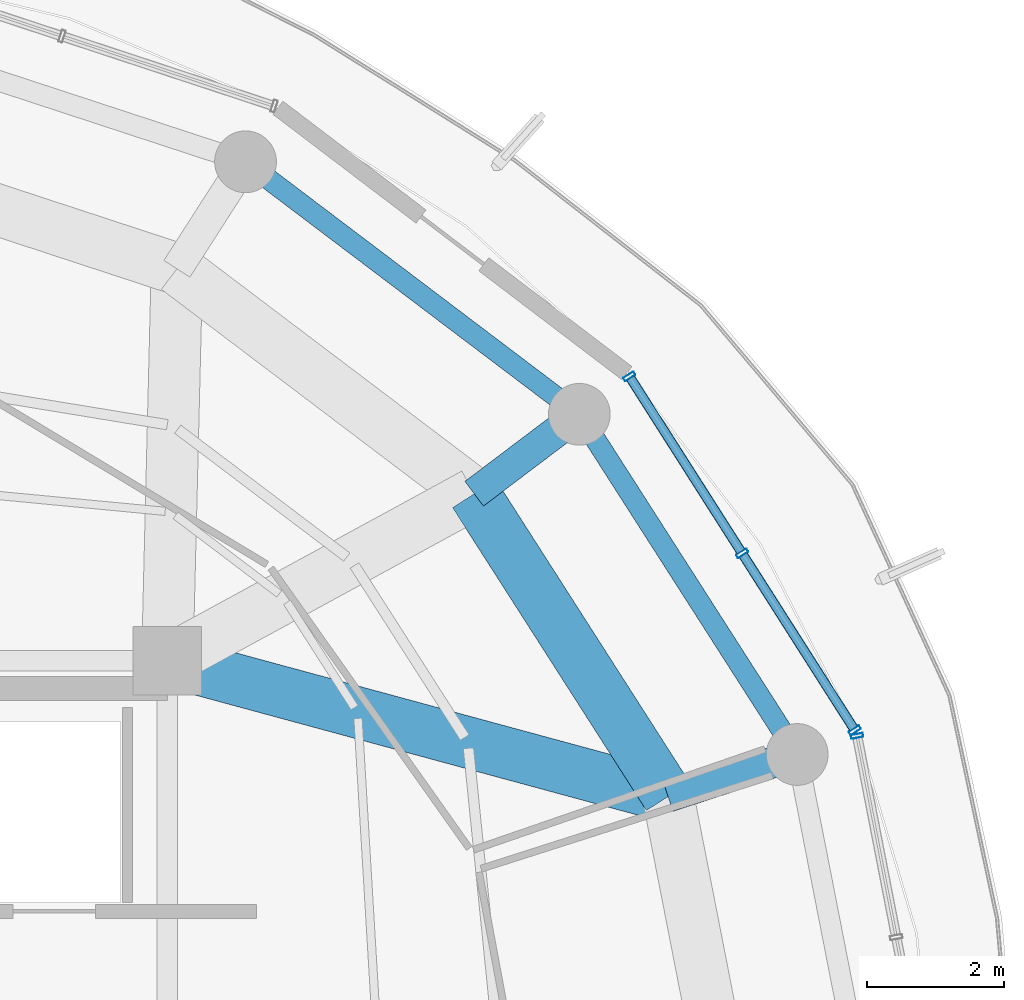
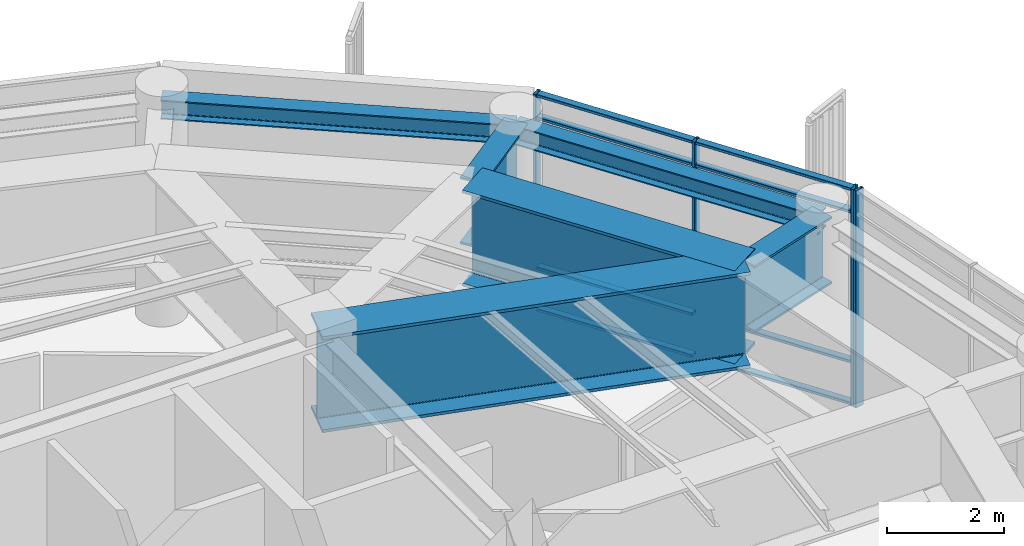
# One storey, part 13 of 23: 12 members, 6 beams, 2 elements without a shape of their own.
"""IFC4 building model written with IfcOpenShell, lengths in metres."""

from ifc_helpers import new_model, si_unit, direction, frame, origin, origin_2d, place, context, subcontext, project, spatial, hollow_rectangle, i_section, extrude, material, layer, layer_set, material_profile, profile_set, type_object, element, aggregate, save


model = new_model("IFC4")

# Units and contexts
model_context = context("Model", 3, precision=1e-05, world=origin(), true_north=direction((0.0, 1.0)))
body_context = subcontext(model_context, "Body", "Model", "MODEL_VIEW")
ifc_project = project(units=[si_unit("LENGTHUNIT", "METRE"), si_unit("AREAUNIT", "SQUARE_METRE"), si_unit("VOLUMEUNIT", "CUBIC_METRE"), si_unit("PLANEANGLEUNIT", "RADIAN"), si_unit("MASSUNIT", "GRAM", prefix="KILO")], contexts=[model_context])

# Site, building, storey
site_placement = place(None, origin())
site = spatial("IfcSite", under=ifc_project, at=site_placement, CompositionType="ELEMENT")
building_placement = place(site_placement, origin())
building = spatial("IfcBuilding", under=site, at=building_placement, Name="Kelanora Arch Commons", CompositionType="ELEMENT")
storey_placement = place(building_placement, frame((0.0, 0.0, 293.699951171875)))
storey = spatial("IfcBuildingStorey", under=building, at=storey_placement, Name="L75", CompositionType="ELEMENT", Elevation=293.699951171875)

# Beams
ifc_material_1 = material(Name="Steel S355", Category="steel")
ifc_material_profile_1 = material_profile(ifc_material_1, i_section(OverallWidth=0.449951171875, OverallDepth=1.39990234375, WebThickness=0.028076171875, FlangeThickness=0.044921875, FilletRadius=0.02392578125, at=origin_2d()), Name="PG1400x450")
ifc_profile_set_1 = profile_set([ifc_material_profile_1], Name="Steel S355")
beam_type_1 = type_object("IfcBeamType", Name="BM-MAST-GRIL", PredefinedType="USERDEFINED", material=ifc_profile_set_1)
beam_1_placement = place(storey_placement, frame((89.298095703125, 63.02099609375, 3.820068359375), z_axis=(0.950336730407, 0.311223551228, 0.0), x_axis=(-0.311223551228, 0.950336730407, 0.0)))
element("IfcBeam", 1, at=beam_1_placement, inside=storey, type_object=beam_type_1, Name="Radial Floor Girder BR-02 L75", ObjectType="TRANSFER_GIRDER", PredefinedType="USERDEFINED", context=body_context, shape_type="SweptSolid", body=[
    extrude(i_section(OverallWidth=0.449951171875, OverallDepth=1.39990234375, WebThickness=0.028076171875, FlangeThickness=0.044921875, FilletRadius=0.02392578125, at=origin_2d()), origin(), (0.0, 0.0, 1.0), 1.9775390625),
])
beam_2_placement = place(storey_placement, frame((86.47119140625, 67.43603515625, 3.820068359375), z_axis=(0.798042616897, 0.60260101362, 0.0), x_axis=(-0.60260101362, 0.798042616897, 0.0)))
element("IfcBeam", 2, at=beam_2_placement, inside=storey, type_object=beam_type_1, Name="Radial Floor Girder BR-04 L75", ObjectType="TRANSFER_GIRDER", PredefinedType="USERDEFINED", context=body_context, shape_type="SweptSolid", body=[
    extrude(i_section(OverallWidth=0.449951171875, OverallDepth=1.39990234375, WebThickness=0.028076171875, FlangeThickness=0.044921875, FilletRadius=0.02392578125, at=origin_2d()), origin(), (0.0, 0.0, 1.0), 1.919921875),
])
ifc_material_profile_2 = material_profile(ifc_material_1, i_section(OverallWidth=0.300048828125, OverallDepth=0.39990234375, WebThickness=0.013427734375, FlangeThickness=0.02392578125, FilletRadius=0.027099609375, at=origin_2d()), Name="HEB400")
ifc_profile_set_2 = profile_set([ifc_material_profile_2], Name="Steel S355")
beam_type_2 = type_object("IfcBeamType", Name="BM-SPN-Z4", PredefinedType="SPANDREL", material=ifc_profile_set_2)
beam_3_placement = place(storey_placement, frame((91.177490234375, 63.636474609375, 4.320068359375), z_axis=(-0.539280851353, 0.842125978322, 0.0), x_axis=(-0.842125978322, -0.539280851353, 0.0)))
element("IfcBeam", 3, at=beam_3_placement, inside=storey, type_object=beam_type_2, Name="Perimeter Spandrel Beam BS-02 L75", PredefinedType="SPANDREL", context=body_context, shape_type="SweptSolid", body=[
    extrude(i_section(OverallWidth=0.300048828125, OverallDepth=0.39990234375, WebThickness=0.013427734375, FlangeThickness=0.02392578125, FilletRadius=0.027099609375, at=origin_2d()), origin(), (0.0, 0.0, 1.0), 5.8857421875),
])
beam_4_placement = place(storey_placement, frame((88.00341796875, 68.593017578125, 4.320068359375), z_axis=(-0.797509460967, 0.603306439273, 0.0), x_axis=(-0.603306439273, -0.797509460967, 0.0)))
element("IfcBeam", 4, at=beam_4_placement, inside=storey, type_object=beam_type_2, Name="Perimeter Spandrel Beam BS-04 L75", PredefinedType="SPANDREL", context=body_context, shape_type="SweptSolid", body=[
    extrude(i_section(OverallWidth=0.300048828125, OverallDepth=0.39990234375, WebThickness=0.013427734375, FlangeThickness=0.02392578125, FilletRadius=0.027099609375, at=origin_2d()), origin(), (0.0, 0.0, 1.0), 6.098388671875),
])
ifc_material_profile_3 = material_profile(ifc_material_1, i_section(OverallWidth=0.75, OverallDepth=2.0, WebThickness=0.034912109375, FlangeThickness=0.06005859375, FilletRadius=0.028076171875, at=origin_2d()), Name="PG2000x750")
ifc_profile_set_3 = profile_set([ifc_material_profile_3], Name="Steel S355")
beam_type_3 = type_object("IfcBeamType", Name="BM-XFER-SET", PredefinedType="USERDEFINED", material=ifc_profile_set_3)
beam_5_placement = place(storey_placement, frame((82.0, 65.0, 3.5400390625), z_axis=(0.965145027625, -0.26171563891, 0.0), x_axis=(0.26171563891, 0.965145027625, 0.0)))
element("IfcBeam", 5, at=beam_5_placement, inside=storey, type_object=beam_type_3, Name="Setback Radial Transfer Girder BRI-02 L75", ObjectType="TRANSFER_GIRDER", PredefinedType="USERDEFINED", context=body_context, shape_type="SweptSolid", body=[
    extrude(i_section(OverallWidth=0.75, OverallDepth=2.0, WebThickness=0.034912109375, FlangeThickness=0.06005859375, FilletRadius=0.028076171875, at=origin_2d()), origin(), (0.0, 0.0, 1.0), 7.561767578125),
])
beam_6_placement = place(storey_placement, frame((89.298095703125, 63.02099609375, 3.5400390625), z_axis=(-0.53922680048, 0.842160588987, 0.0), x_axis=(-0.842160588987, -0.53922680048, 0.0)))
element("IfcBeam", 6, at=beam_6_placement, inside=storey, type_object=beam_type_3, Name="Setback Inner Transfer Ring BSI-02 L75", ObjectType="TRANSFER_GIRDER", PredefinedType="USERDEFINED", context=body_context, shape_type="SweptSolid", body=[
    extrude(i_section(OverallWidth=0.75, OverallDepth=2.0, WebThickness=0.034912109375, FlangeThickness=0.06005859375, FilletRadius=0.028076171875, at=origin_2d()), origin(), (0.0, 0.0, 1.0), 5.242431640625),
])

# Curtain wall, member
ifc_material_2 = material(Name="Terracotta ceramic-fritted low-E glass and aluminium", Category="masonry")
ifc_layer = layer(ifc_material_2, 0.22509765625)
ifc_layer_set = layer_set([ifc_layer], Name="Terracotta ceramic-fritted low-E glass and aluminium")
curtain_wall_type = type_object("IfcCurtainWallType", Name="CW-SYS-05", PredefinedType="NOTDEFINED", material=ifc_layer_set)
curtain_wall_1_placement = place(storey_placement, origin())
curtain_wall_1 = element("IfcCurtainWall", 7, at=curtain_wall_1_placement, inside=storey, type_object=curtain_wall_type, Name="Unitised Curtain Wall L75-B00", PredefinedType="NOTDEFINED")
ifc_material_3 = material(Name="Powder-coated aluminium terracotta", Category="masonry")
ifc_material_profile_4 = material_profile(ifc_material_3, hollow_rectangle(XDim=0.179931640625, YDim=0.06005859375, WallThickness=0.0048828125, InnerFilletRadius=0.0048828125, OuterFilletRadius=0.010009765625, at=origin_2d()), Name="CWM180x60")
ifc_profile_set_4 = profile_set([ifc_material_profile_4], Name="Powder-coated aluminium terracotta")
member_type_1 = type_object("IfcMemberType", Name="CWM-HVY", PredefinedType="MULLION", material=ifc_profile_set_4)
member_1_placement = place(storey_placement, frame((92.05078125, 63.906982421875, 0.0), z_axis=(0.0, 0.0, 1.0), x_axis=(-0.981595542501, -0.190971701941, 0.0)))
member_1 = element("IfcMember", 8, at=member_1_placement, type_object=member_type_1, Name="CW-05 mullion 3", PredefinedType="MULLION", context=body_context, shape_type="SweptSolid", body=[
    extrude(hollow_rectangle(XDim=0.179931640625, YDim=0.06005859375, WallThickness=0.0048828125, InnerFilletRadius=0.0048828125, OuterFilletRadius=0.010009765625, at=origin_2d()), origin(), (0.0, 0.0, 1.0), 4.525146484375),
])
aggregate(curtain_wall_1, [member_1])

# Curtain wall, members
curtain_wall_2_placement = place(storey_placement, origin())
curtain_wall_2 = element("IfcCurtainWall", 9, at=curtain_wall_2_placement, inside=storey, type_object=curtain_wall_type, Name="Unitised Curtain Wall L75-B01", PredefinedType="NOTDEFINED")
member_2_placement = place(storey_placement, frame((92.017822265625, 63.9892578125, 0.0), z_axis=(0.0, 0.0, 1.0), x_axis=(-0.843391314545, -0.537299814397, 0.0)))
member_2 = element("IfcMember", 10, at=member_2_placement, type_object=member_type_1, Name="CW-05 mullion 1", PredefinedType="MULLION", context=body_context, shape_type="SweptSolid", body=[
    extrude(hollow_rectangle(XDim=0.179931640625, YDim=0.06005859375, WallThickness=0.0048828125, InnerFilletRadius=0.0048828125, OuterFilletRadius=0.010009765625, at=origin_2d()), origin(), (0.0, 0.0, 1.0), 4.525146484375),
])
member_3_placement = place(storey_placement, frame((90.375, 66.56787109375, 0.0), z_axis=(0.0, 0.0, 1.0), x_axis=(-0.843391314545, -0.537299814397, 0.0)))
member_3 = element("IfcMember", 11, at=member_3_placement, type_object=member_type_1, Name="CW-05 mullion 2", PredefinedType="MULLION", context=body_context, shape_type="SweptSolid", body=[
    extrude(hollow_rectangle(XDim=0.179931640625, YDim=0.06005859375, WallThickness=0.0048828125, InnerFilletRadius=0.0048828125, OuterFilletRadius=0.010009765625, at=origin_2d()), origin(), (0.0, 0.0, 1.0), 4.525146484375),
])
member_4_placement = place(storey_placement, frame((88.732421875, 69.146484375, 0.0), z_axis=(0.0, 0.0, 1.0), x_axis=(-0.843391314545, -0.537299814397, 0.0)))
member_4 = element("IfcMember", 12, at=member_4_placement, type_object=member_type_1, Name="CW-05 mullion 3", PredefinedType="MULLION", context=body_context, shape_type="SweptSolid", body=[
    extrude(hollow_rectangle(XDim=0.179931640625, YDim=0.06005859375, WallThickness=0.0048828125, InnerFilletRadius=0.0048828125, OuterFilletRadius=0.010009765625, at=origin_2d()), origin(), (0.0, 0.0, 1.0), 4.525146484375),
])
ifc_material_profile_5 = material_profile(ifc_material_3, hollow_rectangle(XDim=0.139892578125, YDim=0.06005859375, WallThickness=0.0048828125, InnerFilletRadius=0.0048828125, OuterFilletRadius=0.010009765625, at=origin_2d()), Name="CWT140x60")
ifc_profile_set_5 = profile_set([ifc_material_profile_5], Name="Powder-coated aluminium terracotta")
member_type_2 = type_object("IfcMemberType", Name="CWT-HVY", PredefinedType="USERDEFINED", material=ifc_profile_set_5)
member_5_placement = place(storey_placement, frame((92.001708984375, 64.014404296875, 0.030029296875), z_axis=(-0.537307571338, 0.843386372775, 0.0), x_axis=(-0.843386372775, -0.537307571338, 0.0)))
member_5 = element("IfcMember", 13, at=member_5_placement, type_object=member_type_2, Name="CW-05 transom 1.1", ObjectType="TRANSOM", PredefinedType="USERDEFINED", context=body_context, shape_type="SweptSolid", body=[
    extrude(hollow_rectangle(XDim=0.139892578125, YDim=0.06005859375, WallThickness=0.0048828125, InnerFilletRadius=0.0048828125, OuterFilletRadius=0.010009765625, at=origin_2d()), origin(), (0.0, 0.0, 1.0), 2.99755859375),
])
member_6_placement = place(storey_placement, frame((92.001708984375, 64.014404296875, 0.900146484375), z_axis=(-0.537307571338, 0.843386372775, 0.0), x_axis=(-0.843386372775, -0.537307571338, 0.0)))
member_6 = element("IfcMember", 14, at=member_6_placement, type_object=member_type_2, Name="CW-05 transom 1.2", ObjectType="TRANSOM", PredefinedType="USERDEFINED", context=body_context, shape_type="SweptSolid", body=[
    extrude(hollow_rectangle(XDim=0.139892578125, YDim=0.06005859375, WallThickness=0.0048828125, InnerFilletRadius=0.0048828125, OuterFilletRadius=0.010009765625, at=origin_2d()), origin(), (0.0, 0.0, 1.0), 2.99755859375),
])
member_7_placement = place(storey_placement, frame((92.001708984375, 64.014404296875, 4.025146484375), z_axis=(-0.537307571338, 0.843386372775, 0.0), x_axis=(-0.843386372775, -0.537307571338, 0.0)))
member_7 = element("IfcMember", 15, at=member_7_placement, type_object=member_type_2, Name="CW-05 transom 1.3", ObjectType="TRANSOM", PredefinedType="USERDEFINED", context=body_context, shape_type="SweptSolid", body=[
    extrude(hollow_rectangle(XDim=0.139892578125, YDim=0.06005859375, WallThickness=0.0048828125, InnerFilletRadius=0.0048828125, OuterFilletRadius=0.010009765625, at=origin_2d()), origin(), (0.0, 0.0, 1.0), 2.99755859375),
])
member_8_placement = place(storey_placement, frame((92.001708984375, 64.014404296875, 4.4951171875), z_axis=(-0.537307571338, 0.843386372775, 0.0), x_axis=(-0.843386372775, -0.537307571338, 0.0)))
member_8 = element("IfcMember", 16, at=member_8_placement, type_object=member_type_2, Name="CW-05 transom 1.4", ObjectType="TRANSOM", PredefinedType="USERDEFINED", context=body_context, shape_type="SweptSolid", body=[
    extrude(hollow_rectangle(XDim=0.139892578125, YDim=0.06005859375, WallThickness=0.0048828125, InnerFilletRadius=0.0048828125, OuterFilletRadius=0.010009765625, at=origin_2d()), origin(), (0.0, 0.0, 1.0), 2.99755859375),
])
member_9_placement = place(storey_placement, frame((90.35888671875, 66.59326171875, 0.030029296875), z_axis=(-0.537286543791, 0.84339976871, 0.0), x_axis=(-0.84339976871, -0.537286543791, 0.0)))
member_9 = element("IfcMember", 17, at=member_9_placement, type_object=member_type_2, Name="CW-05 transom 2.1", ObjectType="TRANSOM", PredefinedType="USERDEFINED", context=body_context, shape_type="SweptSolid", body=[
    extrude(hollow_rectangle(XDim=0.139892578125, YDim=0.06005859375, WallThickness=0.0048828125, InnerFilletRadius=0.0048828125, OuterFilletRadius=0.010009765625, at=origin_2d()), origin(), (0.0, 0.0, 1.0), 2.997314453125),
])
member_10_placement = place(storey_placement, frame((90.35888671875, 66.59326171875, 0.900146484375), z_axis=(-0.537286543791, 0.84339976871, 0.0), x_axis=(-0.84339976871, -0.537286543791, 0.0)))
member_10 = element("IfcMember", 18, at=member_10_placement, type_object=member_type_2, Name="CW-05 transom 2.2", ObjectType="TRANSOM", PredefinedType="USERDEFINED", context=body_context, shape_type="SweptSolid", body=[
    extrude(hollow_rectangle(XDim=0.139892578125, YDim=0.06005859375, WallThickness=0.0048828125, InnerFilletRadius=0.0048828125, OuterFilletRadius=0.010009765625, at=origin_2d()), origin(), (0.0, 0.0, 1.0), 2.997314453125),
])
member_11_placement = place(storey_placement, frame((90.35888671875, 66.59326171875, 4.025146484375), z_axis=(-0.537286543791, 0.84339976871, 0.0), x_axis=(-0.84339976871, -0.537286543791, 0.0)))
member_11 = element("IfcMember", 19, at=member_11_placement, type_object=member_type_2, Name="CW-05 transom 2.3", ObjectType="TRANSOM", PredefinedType="USERDEFINED", context=body_context, shape_type="SweptSolid", body=[
    extrude(hollow_rectangle(XDim=0.139892578125, YDim=0.06005859375, WallThickness=0.0048828125, InnerFilletRadius=0.0048828125, OuterFilletRadius=0.010009765625, at=origin_2d()), origin(), (0.0, 0.0, 1.0), 2.997314453125),
])
member_12_placement = place(storey_placement, frame((90.35888671875, 66.59326171875, 4.4951171875), z_axis=(-0.537286543791, 0.84339976871, 0.0), x_axis=(-0.84339976871, -0.537286543791, 0.0)))
member_12 = element("IfcMember", 20, at=member_12_placement, type_object=member_type_2, Name="CW-05 transom 2.4", ObjectType="TRANSOM", PredefinedType="USERDEFINED", context=body_context, shape_type="SweptSolid", body=[
    extrude(hollow_rectangle(XDim=0.139892578125, YDim=0.06005859375, WallThickness=0.0048828125, InnerFilletRadius=0.0048828125, OuterFilletRadius=0.010009765625, at=origin_2d()), origin(), (0.0, 0.0, 1.0), 2.997314453125),
])
aggregate(curtain_wall_2, [member_2, member_3, member_4, member_5, member_6, member_7, member_8, member_9, member_10, member_11, member_12])

save(model, "model.ifc")
